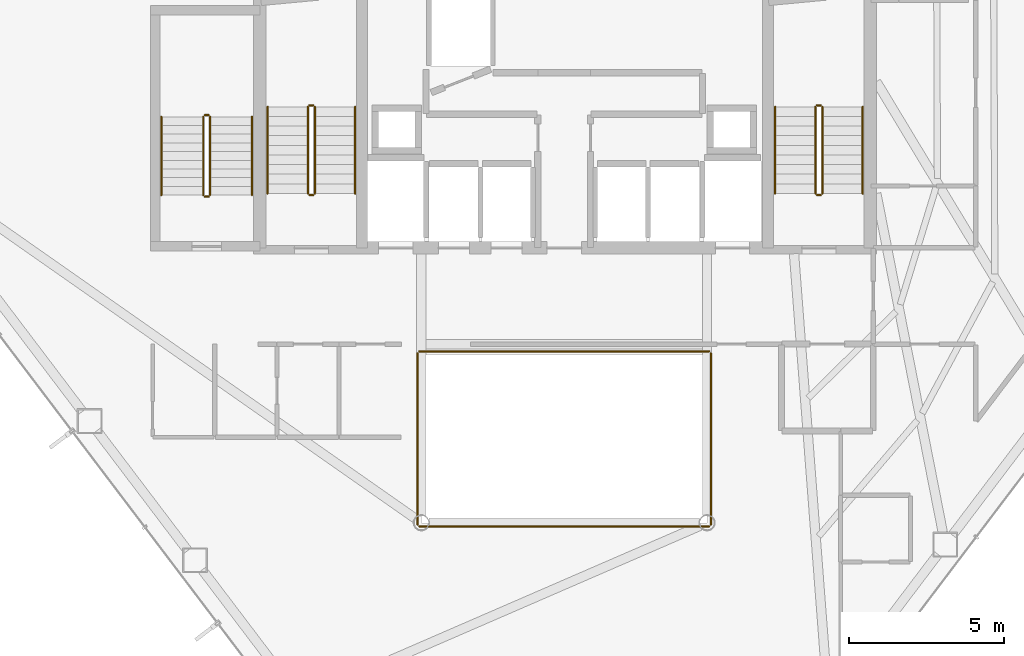
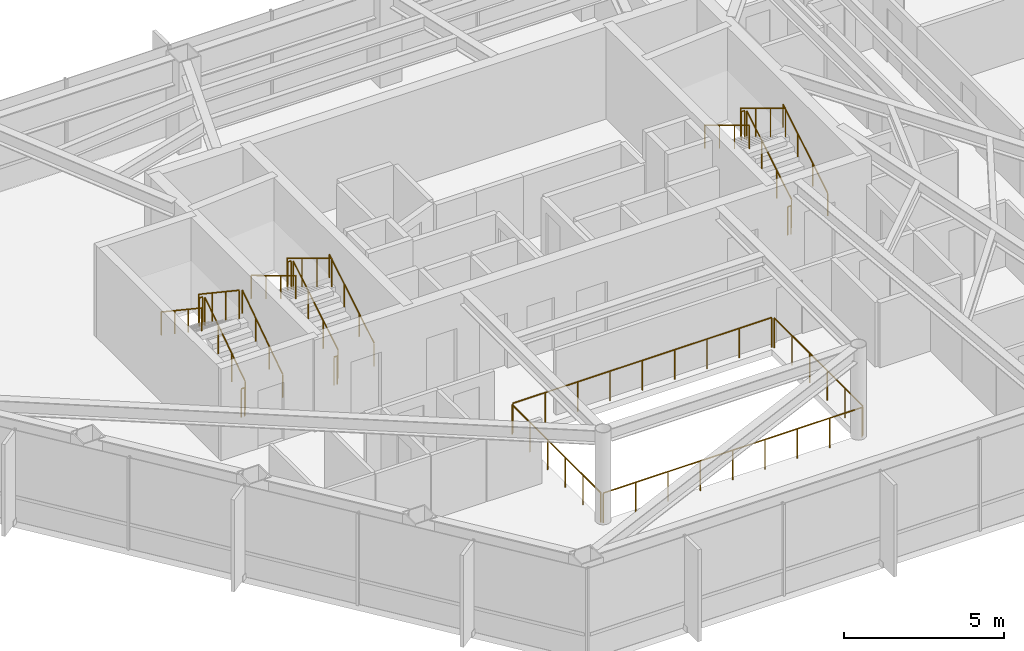
# One storey, part 28 of 28: 22 railings.
"""IFC4 building model written with IfcOpenShell, lengths in metres."""

from ifc_helpers import new_model, si_unit, direction, frame, origin, origin_2d, place, context, subcontext, project, spatial, circle, extrude, material, type_object, element, save


model = new_model("IFC4")

# Units and contexts
model_context = context("Model", 3, precision=1e-05, world=origin(), true_north=direction((0.0, 1.0)))
body_context = subcontext(model_context, "Body", "Model", "MODEL_VIEW")
ifc_project = project(units=[si_unit("LENGTHUNIT", "METRE"), si_unit("AREAUNIT", "SQUARE_METRE"), si_unit("VOLUMEUNIT", "CUBIC_METRE"), si_unit("PLANEANGLEUNIT", "RADIAN"), si_unit("MASSUNIT", "GRAM", prefix="KILO")], contexts=[model_context])

# Site, building, storey
site_placement = place(None, origin())
site = spatial("IfcSite", under=ifc_project, at=site_placement, CompositionType="ELEMENT")
building_placement = place(site_placement, origin())
building = spatial("IfcBuilding", under=site, at=building_placement, Name="Zarrinselat Tower", CompositionType="ELEMENT")
storey_placement = place(building_placement, frame((0.0, 0.0, 123.419921875)))
storey = spatial("IfcBuildingStorey", under=building, at=storey_placement, Name="L29", CompositionType="ELEMENT", Elevation=123.419921875)

# Railings
ifc_material_1 = material(Name="Double Low-E Laminated Solar Glass", Category="glass")
railing_type_1 = type_object("IfcRailingType", Name="RLG-ATRIUM-BAL", PredefinedType="BALUSTRADE", material=ifc_material_1)
railing_1_placement = place(storey_placement, frame((33.739990234375, 24.280029296875, 0.0)))
element("IfcRailing", 1, at=railing_1_placement, inside=storey, type_object=railing_type_1, Name="L29 Atrium Void Glass Balustrade S", PredefinedType="BALUSTRADE", context=body_context, shape_type="SweptSolid", body=[
    extrude(circle(Radius=0.02392578125, at=origin_2d()), frame((0.0, 0.0, 1.1259765625), z_axis=(1.0, 0.0, 0.0), x_axis=(0.0, 1.0, 0.0)), (0.0, 0.0, 1.0), 9.320068359375),
    extrude(circle(Radius=0.02099609375, at=origin_2d()), origin(), (0.0, 0.0, 1.0), 1.099853515625),
    extrude(circle(Radius=0.02099609375, at=origin_2d()), frame((1.1650390625, 0.0, 0.0)), (0.0, 0.0, 1.0), 1.099853515625),
    extrude(circle(Radius=0.02099609375, at=origin_2d()), frame((2.330078125, 0.0, 0.0)), (0.0, 0.0, 1.0), 1.099853515625),
    extrude(circle(Radius=0.02099609375, at=origin_2d()), frame((3.4951171875, 0.0, 0.0)), (0.0, 0.0, 1.0), 1.099853515625),
    extrude(circle(Radius=0.02099609375, at=origin_2d()), frame((4.66015625, 0.0, 0.0)), (0.0, 0.0, 1.0), 1.099853515625),
    extrude(circle(Radius=0.02099609375, at=origin_2d()), frame((5.824951171875, 0.0, 0.0)), (0.0, 0.0, 1.0), 1.099853515625),
    extrude(circle(Radius=0.02099609375, at=origin_2d()), frame((6.989990234375, 0.0, 0.0)), (0.0, 0.0, 1.0), 1.099853515625),
    extrude(circle(Radius=0.02099609375, at=origin_2d()), frame((8.155029296875, 0.0, 0.0)), (0.0, 0.0, 1.0), 1.099853515625),
    extrude(circle(Radius=0.02099609375, at=origin_2d()), frame((9.320068359375, 0.0, 0.0)), (0.0, 0.0, 1.0), 1.099853515625),
])
railing_2_placement = place(storey_placement, frame((43.1201171875, 24.340087890625, 0.0)))
element("IfcRailing", 2, at=railing_2_placement, inside=storey, type_object=railing_type_1, Name="L29 Atrium Void Glass Balustrade E", PredefinedType="BALUSTRADE", context=body_context, shape_type="SweptSolid", body=[
    extrude(circle(Radius=0.02392578125, at=origin_2d()), frame((0.0, 0.0, 1.1259765625), z_axis=(0.0, 1.0, 0.0), x_axis=(-1.0, 0.0, 0.0)), (0.0, 0.0, 1.0), 5.52001953125),
    extrude(circle(Radius=0.02099609375, at=origin_2d()), origin(), (0.0, 0.0, 1.0), 1.099853515625),
    extrude(circle(Radius=0.02099609375, at=origin_2d()), frame((0.0, 1.10400390625, 0.0)), (0.0, 0.0, 1.0), 1.099853515625),
    extrude(circle(Radius=0.02099609375, at=origin_2d()), frame((0.0, 2.2080078125, 0.0)), (0.0, 0.0, 1.0), 1.099853515625),
    extrude(circle(Radius=0.02099609375, at=origin_2d()), frame((0.0, 3.31201171875, 0.0)), (0.0, 0.0, 1.0), 1.099853515625),
    extrude(circle(Radius=0.02099609375, at=origin_2d()), frame((0.0, 4.416015625, 0.0)), (0.0, 0.0, 1.0), 1.099853515625),
    extrude(circle(Radius=0.02099609375, at=origin_2d()), frame((0.0, 5.52001953125, 0.0)), (0.0, 0.0, 1.0), 1.099853515625),
])
railing_3_placement = place(storey_placement, frame((43.06005859375, 29.919921875, 0.0)))
element("IfcRailing", 3, at=railing_3_placement, inside=storey, type_object=railing_type_1, Name="L29 Atrium Void Glass Balustrade N", PredefinedType="BALUSTRADE", context=body_context, shape_type="SweptSolid", body=[
    extrude(circle(Radius=0.02392578125, at=origin_2d()), frame((0.0, 0.0, 1.1259765625), z_axis=(-1.0, 0.0, 0.0), x_axis=(0.0, -1.0, 0.0)), (0.0, 0.0, 1.0), 9.320068359375),
    extrude(circle(Radius=0.02099609375, at=origin_2d()), origin(), (0.0, 0.0, 1.0), 1.099853515625),
    extrude(circle(Radius=0.02099609375, at=origin_2d()), frame((-1.1650390625, 0.0, 0.0)), (0.0, 0.0, 1.0), 1.099853515625),
    extrude(circle(Radius=0.02099609375, at=origin_2d()), frame((-2.330078125, 0.0, 0.0)), (0.0, 0.0, 1.0), 1.099853515625),
    extrude(circle(Radius=0.02099609375, at=origin_2d()), frame((-3.4951171875, 0.0, 0.0)), (0.0, 0.0, 1.0), 1.099853515625),
    extrude(circle(Radius=0.02099609375, at=origin_2d()), frame((-4.66015625, 0.0, 0.0)), (0.0, 0.0, 1.0), 1.099853515625),
    extrude(circle(Radius=0.02099609375, at=origin_2d()), frame((-5.824951171875, 0.0, 0.0)), (0.0, 0.0, 1.0), 1.099853515625),
    extrude(circle(Radius=0.02099609375, at=origin_2d()), frame((-6.989990234375, 0.0, 0.0)), (0.0, 0.0, 1.0), 1.099853515625),
    extrude(circle(Radius=0.02099609375, at=origin_2d()), frame((-8.155029296875, 0.0, 0.0)), (0.0, 0.0, 1.0), 1.099853515625),
    extrude(circle(Radius=0.02099609375, at=origin_2d()), frame((-9.320068359375, 0.0, 0.0)), (0.0, 0.0, 1.0), 1.099853515625),
])
railing_4_placement = place(storey_placement, frame((33.679931640625, 29.860107421875, 0.0)))
element("IfcRailing", 4, at=railing_4_placement, inside=storey, type_object=railing_type_1, Name="L29 Atrium Void Glass Balustrade W", PredefinedType="BALUSTRADE", context=body_context, shape_type="SweptSolid", body=[
    extrude(circle(Radius=0.02392578125, at=origin_2d()), frame((0.0, 0.0, 1.1259765625), z_axis=(0.0, -1.0, 0.0), x_axis=(1.0, 0.0, 0.0)), (0.0, 0.0, 1.0), 5.52001953125),
    extrude(circle(Radius=0.02099609375, at=origin_2d()), origin(), (0.0, 0.0, 1.0), 1.099853515625),
    extrude(circle(Radius=0.02099609375, at=origin_2d()), frame((0.0, -1.10400390625, 0.0)), (0.0, 0.0, 1.0), 1.099853515625),
    extrude(circle(Radius=0.02099609375, at=origin_2d()), frame((0.0, -2.2080078125, 0.0)), (0.0, 0.0, 1.0), 1.099853515625),
    extrude(circle(Radius=0.02099609375, at=origin_2d()), frame((0.0, -3.31201171875, 0.0)), (0.0, 0.0, 1.0), 1.099853515625),
    extrude(circle(Radius=0.02099609375, at=origin_2d()), frame((0.0, -4.416015625, 0.0)), (0.0, 0.0, 1.0), 1.099853515625),
    extrude(circle(Radius=0.02099609375, at=origin_2d()), frame((0.0, -5.52001953125, 0.0)), (0.0, 0.0, 1.0), 1.099853515625),
])
ifc_material_2 = material(Name="Steel S355J2", Category="steel")
railing_type_2 = type_object("IfcRailingType", Name="RLG-STAIR-GUARD", PredefinedType="GUARDRAIL", material=ifc_material_2)
railing_5_placement = place(storey_placement, frame((30.3701171875, 35.0, 0.18701171875)))
element("IfcRailing", 5, at=railing_5_placement, inside=storey, type_object=railing_type_2, Name="L29 ST-1 stair guard 1", PredefinedType="GUARDRAIL", context=body_context, shape_type="SweptSolid", body=[
    extrude(circle(Radius=0.02392578125, at=origin_2d()), frame((0.0, 0.0, 1.076171875), z_axis=(0.0, 0.856260799362, 0.516543747882), x_axis=(-1.0, 0.0, 0.0)), (0.0, 0.0, 1.0), 3.25830078125),
    extrude(circle(Radius=0.02099609375, at=origin_2d()), origin(), (0.0, 0.0, 1.0), 1.050048828125),
    extrude(circle(Radius=0.02099609375, at=origin_2d()), frame((0.0, 0.929931640625, 0.56103515625)), (0.0, 0.0, 1.0), 1.050048828125),
    extrude(circle(Radius=0.02099609375, at=origin_2d()), frame((0.0, 1.860107421875, 1.1220703125)), (0.0, 0.0, 1.0), 1.050048828125),
    extrude(circle(Radius=0.02099609375, at=origin_2d()), frame((0.0, 2.7900390625, 1.68310546875)), (0.0, 0.0, 1.0), 1.050048828125),
])
railing_6_placement = place(storey_placement, frame((30.320068359375, 37.840087890625, 1.8701171875)))
element("IfcRailing", 6, at=railing_6_placement, inside=storey, type_object=railing_type_2, Name="L29 ST-1 stair guard 2", PredefinedType="GUARDRAIL", context=body_context, shape_type="SweptSolid", body=[
    extrude(circle(Radius=0.02392578125, at=origin_2d()), frame((0.0, 0.0, 1.076171875), z_axis=(-1.0, 0.0, 0.0), x_axis=(0.0, -1.0, 0.0)), (0.0, 0.0, 1.0), 0.1201171875),
    extrude(circle(Radius=0.02099609375, at=origin_2d()), origin(), (0.0, 0.0, 1.0), 1.050048828125),
    extrude(circle(Radius=0.02099609375, at=origin_2d()), frame((-0.1201171875, 0.0, 0.0)), (0.0, 0.0, 1.0), 1.050048828125),
])
railing_7_placement = place(storey_placement, frame((30.14990234375, 37.7900390625, 2.05712890625)))
element("IfcRailing", 7, at=railing_7_placement, inside=storey, type_object=railing_type_2, Name="L29 ST-1 stair guard 3", PredefinedType="GUARDRAIL", context=body_context, shape_type="SweptSolid", body=[
    extrude(circle(Radius=0.02392578125, at=origin_2d()), frame((0.0, 0.0, 1.076171875), z_axis=(0.0, -0.856293938615, 0.516488809842), x_axis=(1.0, 0.0, 0.0)), (0.0, 0.0, 1.0), 3.25830078125),
    extrude(circle(Radius=0.02099609375, at=origin_2d()), origin(), (0.0, 0.0, 1.0), 1.050048828125),
    extrude(circle(Radius=0.02099609375, at=origin_2d()), frame((0.0, -0.929931640625, 0.56103515625)), (0.0, 0.0, 1.0), 1.050048828125),
    extrude(circle(Radius=0.02099609375, at=origin_2d()), frame((0.0, -1.860107421875, 1.121826171875)), (0.0, 0.0, 1.0), 1.050048828125),
    extrude(circle(Radius=0.02099609375, at=origin_2d()), frame((0.0, -2.7900390625, 1.682861328125)), (0.0, 0.0, 1.0), 1.050048828125),
])
railing_8_placement = place(storey_placement, frame((30.320068359375, 34.949951171875, 0.0)))
element("IfcRailing", 8, at=railing_8_placement, inside=storey, type_object=railing_type_2, Name="L29 ST-1 stair guard 4", PredefinedType="GUARDRAIL", context=body_context, shape_type="SweptSolid", body=[
    extrude(circle(Radius=0.02392578125, at=origin_2d()), frame((0.0, 0.0, 1.076171875), z_axis=(-1.0, 0.0, 0.0), x_axis=(0.0, -1.0, 0.0)), (0.0, 0.0, 1.0), 0.1201171875),
    extrude(circle(Radius=0.02099609375, at=origin_2d()), origin(), (0.0, 0.0, 1.0), 1.050048828125),
    extrude(circle(Radius=0.02099609375, at=origin_2d()), frame((-0.1201171875, 0.0, 0.0)), (0.0, 0.0, 1.0), 1.050048828125),
])
railing_9_placement = place(storey_placement, frame((46.7099609375, 35.0, 0.18701171875)))
element("IfcRailing", 9, at=railing_9_placement, inside=storey, type_object=railing_type_2, Name="L29 ST-2 stair guard 1", PredefinedType="GUARDRAIL", context=body_context, shape_type="SweptSolid", body=[
    extrude(circle(Radius=0.02392578125, at=origin_2d()), frame((0.0, 0.0, 1.076171875), z_axis=(0.0, 0.856260799362, 0.516543747882), x_axis=(-1.0, 0.0, 0.0)), (0.0, 0.0, 1.0), 3.25830078125),
    extrude(circle(Radius=0.02099609375, at=origin_2d()), origin(), (0.0, 0.0, 1.0), 1.050048828125),
    extrude(circle(Radius=0.02099609375, at=origin_2d()), frame((0.0, 0.929931640625, 0.56103515625)), (0.0, 0.0, 1.0), 1.050048828125),
    extrude(circle(Radius=0.02099609375, at=origin_2d()), frame((0.0, 1.860107421875, 1.1220703125)), (0.0, 0.0, 1.0), 1.050048828125),
    extrude(circle(Radius=0.02099609375, at=origin_2d()), frame((0.0, 2.7900390625, 1.68310546875)), (0.0, 0.0, 1.0), 1.050048828125),
])
railing_10_placement = place(storey_placement, frame((46.659912109375, 37.840087890625, 1.8701171875)))
element("IfcRailing", 10, at=railing_10_placement, inside=storey, type_object=railing_type_2, Name="L29 ST-2 stair guard 2", PredefinedType="GUARDRAIL", context=body_context, shape_type="SweptSolid", body=[
    extrude(circle(Radius=0.02392578125, at=origin_2d()), frame((0.0, 0.0, 1.076171875), z_axis=(-1.0, 0.0, 0.0), x_axis=(0.0, -1.0, 0.0)), (0.0, 0.0, 1.0), 0.119873046875),
    extrude(circle(Radius=0.02099609375, at=origin_2d()), origin(), (0.0, 0.0, 1.0), 1.050048828125),
    extrude(circle(Radius=0.02099609375, at=origin_2d()), frame((-0.119873046875, 0.0, 0.0)), (0.0, 0.0, 1.0), 1.050048828125),
])
railing_11_placement = place(storey_placement, frame((46.489990234375, 37.7900390625, 2.05712890625)))
element("IfcRailing", 11, at=railing_11_placement, inside=storey, type_object=railing_type_2, Name="L29 ST-2 stair guard 3", PredefinedType="GUARDRAIL", context=body_context, shape_type="SweptSolid", body=[
    extrude(circle(Radius=0.02392578125, at=origin_2d()), frame((0.0, 0.0, 1.076171875), z_axis=(0.0, -0.856293938615, 0.516488809842), x_axis=(1.0, 0.0, 0.0)), (0.0, 0.0, 1.0), 3.25830078125),
    extrude(circle(Radius=0.02099609375, at=origin_2d()), origin(), (0.0, 0.0, 1.0), 1.050048828125),
    extrude(circle(Radius=0.02099609375, at=origin_2d()), frame((0.0, -0.929931640625, 0.56103515625)), (0.0, 0.0, 1.0), 1.050048828125),
    extrude(circle(Radius=0.02099609375, at=origin_2d()), frame((0.0, -1.860107421875, 1.121826171875)), (0.0, 0.0, 1.0), 1.050048828125),
    extrude(circle(Radius=0.02099609375, at=origin_2d()), frame((0.0, -2.7900390625, 1.682861328125)), (0.0, 0.0, 1.0), 1.050048828125),
])
railing_12_placement = place(storey_placement, frame((46.659912109375, 34.949951171875, 0.0)))
element("IfcRailing", 12, at=railing_12_placement, inside=storey, type_object=railing_type_2, Name="L29 ST-2 stair guard 4", PredefinedType="GUARDRAIL", context=body_context, shape_type="SweptSolid", body=[
    extrude(circle(Radius=0.02392578125, at=origin_2d()), frame((0.0, 0.0, 1.076171875), z_axis=(-1.0, 0.0, 0.0), x_axis=(0.0, -1.0, 0.0)), (0.0, 0.0, 1.0), 0.119873046875),
    extrude(circle(Radius=0.02099609375, at=origin_2d()), origin(), (0.0, 0.0, 1.0), 1.050048828125),
    extrude(circle(Radius=0.02099609375, at=origin_2d()), frame((-0.119873046875, 0.0, 0.0)), (0.0, 0.0, 1.0), 1.050048828125),
])
railing_13_placement = place(storey_placement, frame((27.0, 34.949951171875, 0.18701171875)))
element("IfcRailing", 13, at=railing_13_placement, inside=storey, type_object=railing_type_2, Name="L29 ST-3 stair guard 1", PredefinedType="GUARDRAIL", context=body_context, shape_type="SweptSolid", body=[
    extrude(circle(Radius=0.02392578125, at=origin_2d()), frame((0.0, 0.0, 1.076171875), z_axis=(0.0, 0.831579006341, 0.555406478368), x_axis=(-1.0, 0.0, 0.0)), (0.0, 0.0, 1.0), 3.030517578125),
    extrude(circle(Radius=0.02099609375, at=origin_2d()), origin(), (0.0, 0.0, 1.0), 1.050048828125),
    extrude(circle(Radius=0.02099609375, at=origin_2d()), frame((0.0, 0.840087890625, 0.56103515625)), (0.0, 0.0, 1.0), 1.050048828125),
    extrude(circle(Radius=0.02099609375, at=origin_2d()), frame((0.0, 1.679931640625, 1.1220703125)), (0.0, 0.0, 1.0), 1.050048828125),
    extrude(circle(Radius=0.02099609375, at=origin_2d()), frame((0.0, 2.52001953125, 1.68310546875)), (0.0, 0.0, 1.0), 1.050048828125),
])
railing_14_placement = place(storey_placement, frame((26.949951171875, 37.52001953125, 1.8701171875)))
element("IfcRailing", 14, at=railing_14_placement, inside=storey, type_object=railing_type_2, Name="L29 ST-3 stair guard 2", PredefinedType="GUARDRAIL", context=body_context, shape_type="SweptSolid", body=[
    extrude(circle(Radius=0.02392578125, at=origin_2d()), frame((0.0, 0.0, 1.076171875), z_axis=(-1.0, 0.0, 0.0), x_axis=(0.0, -1.0, 0.0)), (0.0, 0.0, 1.0), 0.119873046875),
    extrude(circle(Radius=0.02099609375, at=origin_2d()), origin(), (0.0, 0.0, 1.0), 1.050048828125),
    extrude(circle(Radius=0.02099609375, at=origin_2d()), frame((-0.119873046875, 0.0, 0.0)), (0.0, 0.0, 1.0), 1.050048828125),
])
railing_15_placement = place(storey_placement, frame((26.780029296875, 37.469970703125, 2.05712890625)))
element("IfcRailing", 15, at=railing_15_placement, inside=storey, type_object=railing_type_2, Name="L29 ST-3 stair guard 3", PredefinedType="GUARDRAIL", context=body_context, shape_type="SweptSolid", body=[
    extrude(circle(Radius=0.02392578125, at=origin_2d()), frame((0.0, 0.0, 1.076171875), z_axis=(0.0, -0.831616215664, 0.555350762892), x_axis=(1.0, 0.0, 0.0)), (0.0, 0.0, 1.0), 3.0302734375),
    extrude(circle(Radius=0.02099609375, at=origin_2d()), origin(), (0.0, 0.0, 1.0), 1.050048828125),
    extrude(circle(Radius=0.02099609375, at=origin_2d()), frame((0.0, -0.840087890625, 0.56103515625)), (0.0, 0.0, 1.0), 1.050048828125),
    extrude(circle(Radius=0.02099609375, at=origin_2d()), frame((0.0, -1.679931640625, 1.121826171875)), (0.0, 0.0, 1.0), 1.050048828125),
    extrude(circle(Radius=0.02099609375, at=origin_2d()), frame((0.0, -2.52001953125, 1.682861328125)), (0.0, 0.0, 1.0), 1.050048828125),
])
railing_16_placement = place(storey_placement, frame((26.949951171875, 34.89990234375, 0.0)))
element("IfcRailing", 16, at=railing_16_placement, inside=storey, type_object=railing_type_2, Name="L29 ST-3 stair guard 4", PredefinedType="GUARDRAIL", context=body_context, shape_type="SweptSolid", body=[
    extrude(circle(Radius=0.02392578125, at=origin_2d()), frame((0.0, 0.0, 1.076171875), z_axis=(-1.0, 0.0, 0.0), x_axis=(0.0, -1.0, 0.0)), (0.0, 0.0, 1.0), 0.119873046875),
    extrude(circle(Radius=0.02099609375, at=origin_2d()), origin(), (0.0, 0.0, 1.0), 1.050048828125),
    extrude(circle(Radius=0.02099609375, at=origin_2d()), frame((-0.119873046875, 0.0, 0.0)), (0.0, 0.0, 1.0), 1.050048828125),
])
ifc_material_3 = material(Name="Steel S355J2", Category="steel")
railing_type_3 = type_object("IfcRailingType", Name="RLG-STAIR-HAND", PredefinedType="HANDRAIL", material=ifc_material_3)
railing_17_placement = place(storey_placement, frame((31.669921875, 35.0, 0.18701171875)))
element("IfcRailing", 17, at=railing_17_placement, inside=storey, type_object=railing_type_3, Name="L29 ST-1 stair handrail 1", PredefinedType="HANDRAIL", context=body_context, shape_type="SweptSolid", body=[
    extrude(circle(Radius=0.02392578125, at=origin_2d()), frame((0.0, 0.0, 0.8759765625), z_axis=(0.0, 0.856260799362, 0.516543747882), x_axis=(-1.0, 0.0, 0.0)), (0.0, 0.0, 1.0), 3.25830078125),
    extrude(circle(Radius=0.02099609375, at=origin_2d()), origin(), (0.0, 0.0, 1.0), 0.849853515625),
    extrude(circle(Radius=0.02099609375, at=origin_2d()), frame((0.0, 0.929931640625, 0.56103515625)), (0.0, 0.0, 1.0), 0.849853515625),
    extrude(circle(Radius=0.02099609375, at=origin_2d()), frame((0.0, 1.860107421875, 1.1220703125)), (0.0, 0.0, 1.0), 0.849853515625),
    extrude(circle(Radius=0.02099609375, at=origin_2d()), frame((0.0, 2.7900390625, 1.68310546875)), (0.0, 0.0, 1.0), 0.849853515625),
])
railing_18_placement = place(storey_placement, frame((28.85009765625, 37.7900390625, 2.05712890625)))
element("IfcRailing", 18, at=railing_18_placement, inside=storey, type_object=railing_type_3, Name="L29 ST-1 stair handrail 2", PredefinedType="HANDRAIL", context=body_context, shape_type="SweptSolid", body=[
    extrude(circle(Radius=0.02392578125, at=origin_2d()), frame((0.0, 0.0, 0.8759765625), z_axis=(0.0, -0.856293938615, 0.516488809842), x_axis=(1.0, 0.0, 0.0)), (0.0, 0.0, 1.0), 3.25830078125),
    extrude(circle(Radius=0.02099609375, at=origin_2d()), origin(), (0.0, 0.0, 1.0), 0.849853515625),
    extrude(circle(Radius=0.02099609375, at=origin_2d()), frame((0.0, -0.929931640625, 0.56103515625)), (0.0, 0.0, 1.0), 0.849853515625),
    extrude(circle(Radius=0.02099609375, at=origin_2d()), frame((0.0, -1.860107421875, 1.121826171875)), (0.0, 0.0, 1.0), 0.849853515625),
    extrude(circle(Radius=0.02099609375, at=origin_2d()), frame((0.0, -2.7900390625, 1.682861328125)), (0.0, 0.0, 1.0), 0.849853515625),
])
railing_19_placement = place(storey_placement, frame((48.010009765625, 35.0, 0.18701171875)))
element("IfcRailing", 19, at=railing_19_placement, inside=storey, type_object=railing_type_3, Name="L29 ST-2 stair handrail 1", PredefinedType="HANDRAIL", context=body_context, shape_type="SweptSolid", body=[
    extrude(circle(Radius=0.02392578125, at=origin_2d()), frame((0.0, 0.0, 0.8759765625), z_axis=(0.0, 0.856260799362, 0.516543747882), x_axis=(-1.0, 0.0, 0.0)), (0.0, 0.0, 1.0), 3.25830078125),
    extrude(circle(Radius=0.02099609375, at=origin_2d()), origin(), (0.0, 0.0, 1.0), 0.849853515625),
    extrude(circle(Radius=0.02099609375, at=origin_2d()), frame((0.0, 0.929931640625, 0.56103515625)), (0.0, 0.0, 1.0), 0.849853515625),
    extrude(circle(Radius=0.02099609375, at=origin_2d()), frame((0.0, 1.860107421875, 1.1220703125)), (0.0, 0.0, 1.0), 0.849853515625),
    extrude(circle(Radius=0.02099609375, at=origin_2d()), frame((0.0, 2.7900390625, 1.68310546875)), (0.0, 0.0, 1.0), 0.849853515625),
])
railing_20_placement = place(storey_placement, frame((45.18994140625, 37.7900390625, 2.05712890625)))
element("IfcRailing", 20, at=railing_20_placement, inside=storey, type_object=railing_type_3, Name="L29 ST-2 stair handrail 2", PredefinedType="HANDRAIL", context=body_context, shape_type="SweptSolid", body=[
    extrude(circle(Radius=0.02392578125, at=origin_2d()), frame((0.0, 0.0, 0.8759765625), z_axis=(0.0, -0.856293938615, 0.516488809842), x_axis=(1.0, 0.0, 0.0)), (0.0, 0.0, 1.0), 3.25830078125),
    extrude(circle(Radius=0.02099609375, at=origin_2d()), origin(), (0.0, 0.0, 1.0), 0.849853515625),
    extrude(circle(Radius=0.02099609375, at=origin_2d()), frame((0.0, -0.929931640625, 0.56103515625)), (0.0, 0.0, 1.0), 0.849853515625),
    extrude(circle(Radius=0.02099609375, at=origin_2d()), frame((0.0, -1.860107421875, 1.121826171875)), (0.0, 0.0, 1.0), 0.849853515625),
    extrude(circle(Radius=0.02099609375, at=origin_2d()), frame((0.0, -2.7900390625, 1.682861328125)), (0.0, 0.0, 1.0), 0.849853515625),
])
railing_21_placement = place(storey_placement, frame((28.35009765625, 34.949951171875, 0.18701171875)))
element("IfcRailing", 21, at=railing_21_placement, inside=storey, type_object=railing_type_3, Name="L29 ST-3 stair handrail 1", PredefinedType="HANDRAIL", context=body_context, shape_type="SweptSolid", body=[
    extrude(circle(Radius=0.02392578125, at=origin_2d()), frame((0.0, 0.0, 0.8759765625), z_axis=(0.0, 0.831579006341, 0.555406478368), x_axis=(-1.0, 0.0, 0.0)), (0.0, 0.0, 1.0), 3.030517578125),
    extrude(circle(Radius=0.02099609375, at=origin_2d()), origin(), (0.0, 0.0, 1.0), 0.849853515625),
    extrude(circle(Radius=0.02099609375, at=origin_2d()), frame((0.0, 0.840087890625, 0.56103515625)), (0.0, 0.0, 1.0), 0.849853515625),
    extrude(circle(Radius=0.02099609375, at=origin_2d()), frame((0.0, 1.679931640625, 1.1220703125)), (0.0, 0.0, 1.0), 0.849853515625),
    extrude(circle(Radius=0.02099609375, at=origin_2d()), frame((0.0, 2.52001953125, 1.68310546875)), (0.0, 0.0, 1.0), 0.849853515625),
])
railing_22_placement = place(storey_placement, frame((25.429931640625, 37.469970703125, 2.05712890625)))
element("IfcRailing", 22, at=railing_22_placement, inside=storey, type_object=railing_type_3, Name="L29 ST-3 stair handrail 2", PredefinedType="HANDRAIL", context=body_context, shape_type="SweptSolid", body=[
    extrude(circle(Radius=0.02392578125, at=origin_2d()), frame((0.0, 0.0, 0.8759765625), z_axis=(0.0, -0.831616215664, 0.555350762892), x_axis=(1.0, 0.0, 0.0)), (0.0, 0.0, 1.0), 3.0302734375),
    extrude(circle(Radius=0.02099609375, at=origin_2d()), origin(), (0.0, 0.0, 1.0), 0.849853515625),
    extrude(circle(Radius=0.02099609375, at=origin_2d()), frame((0.0, -0.840087890625, 0.56103515625)), (0.0, 0.0, 1.0), 0.849853515625),
    extrude(circle(Radius=0.02099609375, at=origin_2d()), frame((0.0, -1.679931640625, 1.121826171875)), (0.0, 0.0, 1.0), 0.849853515625),
    extrude(circle(Radius=0.02099609375, at=origin_2d()), frame((0.0, -2.52001953125, 1.682861328125)), (0.0, 0.0, 1.0), 0.849853515625),
])

save(model, "model.ifc")
